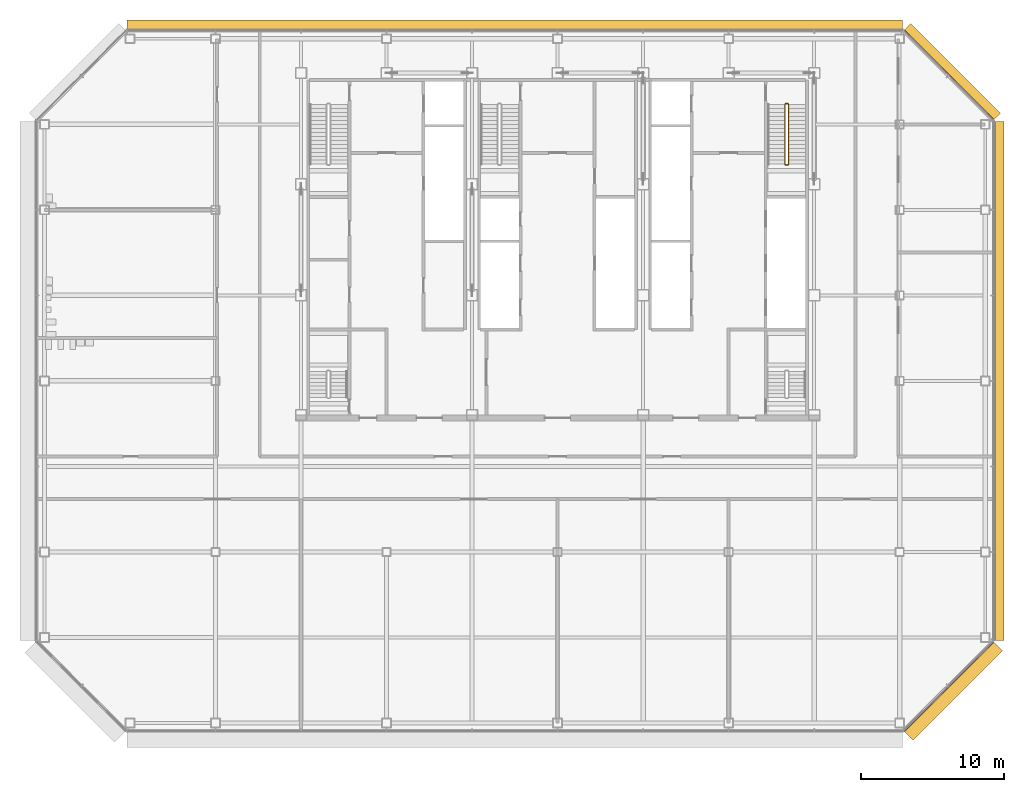
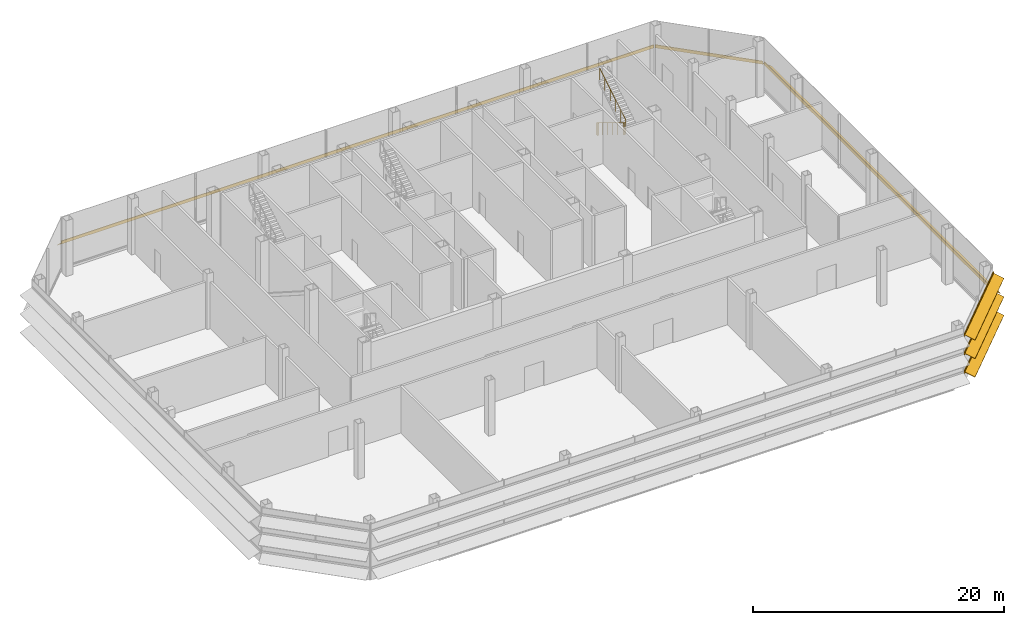
# One storey, part 24 of 25: 4 shading devices, 1 railing.
"""IFC4 building model written with IfcOpenShell, lengths in metres."""

from ifc_helpers import new_model, si_unit, direction, frame, origin, origin_2d, place, context, subcontext, project, spatial, polyline, circle, outline, composite_profile, extrude, material, type_object, element, save


model = new_model("IFC4")

# Units and contexts
model_context = context("Model", 3, precision=1e-05, world=origin(), true_north=direction((0.0, 1.0)))
body_context = subcontext(model_context, "Body", "Model", "MODEL_VIEW")
ifc_project = project(units=[si_unit("LENGTHUNIT", "METRE"), si_unit("AREAUNIT", "SQUARE_METRE"), si_unit("VOLUMEUNIT", "CUBIC_METRE"), si_unit("PLANEANGLEUNIT", "RADIAN"), si_unit("MASSUNIT", "GRAM", prefix="KILO")], contexts=[model_context])

# Site, building, storey
site_placement = place(None, origin())
site = spatial("IfcSite", under=ifc_project, at=site_placement, CompositionType="ELEMENT")
building_placement = place(site_placement, origin())
building = spatial("IfcBuilding", under=site, at=building_placement, Name="Sorahane Residences", CompositionType="ELEMENT")
storey_placement = place(building_placement, frame((0.0, 0.0, 210.0)))
storey = spatial("IfcBuildingStorey", under=building, at=storey_placement, Name="L49", CompositionType="ELEMENT", Elevation=210.0)

# Shading devices
ifc_material_1 = material(Name="Terracotta anodised aluminium", Category="masonry")
shading_device_type_1 = type_object("IfcShadingDeviceType", Name="Louvre sunshade blade E terracotta aluminium 700", PredefinedType="JALOUSIE", material=ifc_material_1)
shading_device_1_placement = place(storey_placement, frame((54.60009765625, 5.801513671875, 2.699951171875), z_axis=(0.0, 1.0, 0.0), x_axis=(-1.0, 0.0, 0.0)))
element("IfcShadingDevice", 1, at=shading_device_1_placement, inside=storey, type_object=shading_device_type_1, Name="Louvre sunshade blade bank E L49 E1", PredefinedType="JALOUSIE", context=body_context, shape_type="SweptSolid", body=[
    extrude(outline(polyline([(-0.719970703125, -0.49365234375), (-0.719970703125, -0.523681640625), (-0.080078125, -0.05859375), (-0.080078125, -0.14990234375), (-0.02001953125, -0.14990234375), (-0.02001953125, -0.014892578125), (-0.02001953125, 0.014892578125), (-0.02001953125, 0.14990234375), (-0.080078125, 0.14990234375), (-0.080078125, -0.028564453125), (-0.719970703125, -0.49365234375)])), origin(), (0.0, 0.0, 1.0), 36.39697265625),
])
ifc_material_2 = material(Name="Terracotta anodised aluminium", Category="masonry")
shading_device_type_2 = type_object("IfcShadingDeviceType", Name="Louvre sunshade blade N terracotta aluminium 700", PredefinedType="JALOUSIE", material=ifc_material_2)
shading_device_2_placement = place(storey_placement, frame((48.198486328125, 48.60009765625, 2.699951171875), z_axis=(-1.0, 0.0, 0.0), x_axis=(0.0, -1.0, 0.0)))
element("IfcShadingDevice", 2, at=shading_device_2_placement, inside=storey, type_object=shading_device_type_2, Name="Louvre sunshade blade bank N L49 N1", PredefinedType="JALOUSIE", context=body_context, shape_type="SweptSolid", body=[
    extrude(outline(polyline([(-0.719970703125, -0.660888671875), (-0.719970703125, -0.69091796875), (-0.080078125, -0.072998046875), (-0.080078125, -0.14990234375), (-0.02001953125, -0.14990234375), (-0.02001953125, -0.014892578125), (-0.02001953125, 0.014892578125), (-0.02001953125, 0.14990234375), (-0.080078125, 0.14990234375), (-0.080078125, -0.04296875), (-0.719970703125, -0.660888671875)])), origin(), (0.0, 0.0, 1.0), 54.39697265625),
])
ifc_material_3 = material(Name="Terracotta anodised aluminium", Category="masonry")
shading_device_type_3 = type_object("IfcShadingDeviceType", Name="Louvre sunshade blade NE terracotta aluminium 700", PredefinedType="JALOUSIE", material=ifc_material_3)
shading_device_3_placement = place(storey_placement, frame((54.564697265625, 42.283935546875, 2.699951171875), z_axis=(-0.707106781187, 0.707106781187, 0.0), x_axis=(-0.707106781187, -0.707106781187, 0.0)))
element("IfcShadingDevice", 3, at=shading_device_3_placement, inside=storey, type_object=shading_device_type_3, Name="Louvre sunshade blade bank NE L49 NE1", PredefinedType="JALOUSIE", context=body_context, shape_type="SweptSolid", body=[
    extrude(outline(polyline([(-0.719970703125, -0.572509765625), (-0.719970703125, -0.602294921875), (-0.080078125, -0.065185546875), (-0.080078125, -0.14990234375), (-0.02001953125, -0.14990234375), (-0.02001953125, -0.014892578125), (-0.02001953125, 0.014892578125), (-0.02001953125, 0.14990234375), (-0.080078125, 0.14990234375), (-0.080078125, -0.035400390625), (-0.719970703125, -0.572509765625)])), origin(), (0.0, 0.0, 1.0), 8.88232421875),
])
ifc_material_4 = material(Name="Terracotta anodised aluminium", Category="masonry")
shading_device_type_4 = type_object("IfcShadingDeviceType", Name="Louvre sunshade blade SE terracotta aluminium 900", PredefinedType="JALOUSIE", material=ifc_material_4)
shading_device_4_placement = place(storey_placement, frame((48.283935546875, -0.564697265625, 0.89990234375), z_axis=(0.707106781187, 0.707106781187, 0.0), x_axis=(-0.707106781187, 0.707106781187, 0.0)))
element("IfcShadingDevice", 4, at=shading_device_4_placement, inside=storey, type_object=shading_device_type_4, Name="Louvre sunshade blade bank SE L49 SE1", PredefinedType="JALOUSIE", context=body_context, shape_type="SweptSolid", body=[
    extrude(composite_profile([outline(polyline([(-0.919921875, -0.3486328125), (-0.919921875, -0.378662109375), (-0.080078125, -0.039306640625), (-0.080078125, -0.14990234375), (-0.02001953125, -0.14990234375), (-0.02001953125, -0.014892578125), (-0.02001953125, 0.014892578125), (-0.02001953125, 0.14990234375), (-0.080078125, 0.14990234375), (-0.080078125, -0.00927734375), (-0.919921875, -0.3486328125)])), outline(polyline([(-0.919921875, 1.451416015625), (-0.919921875, 1.42138671875), (-0.080078125, 1.7607421875), (-0.080078125, 1.64990234375), (-0.02001953125, 1.64990234375), (-0.02001953125, 1.784912109375), (-0.02001953125, 1.81494140625), (-0.02001953125, 1.949951171875), (-0.080078125, 1.949951171875), (-0.080078125, 1.790771484375), (-0.919921875, 1.451416015625)])), outline(polyline([(-0.919921875, 3.25146484375), (-0.919921875, 3.221435546875), (-0.080078125, 3.560791015625), (-0.080078125, 3.449951171875), (-0.02001953125, 3.449951171875), (-0.02001953125, 3.5849609375), (-0.02001953125, 3.614990234375), (-0.02001953125, 3.75), (-0.080078125, 3.75), (-0.080078125, 3.5908203125), (-0.919921875, 3.25146484375)]))]), origin(), (0.0, 0.0, 1.0), 8.88232421875),
])

# Railing
ifc_material_5 = material(Name="Steel Q355B", Category="steel")
railing_type = type_object("IfcRailingType", Name="Stair guard 1200 Steel Q355B", PredefinedType="GUARDRAIL", material=ifc_material_5)
railing_placement = place(storey_placement, frame((40.14990234375, 43.449951171875, 0.0)))
element("IfcRailing", 5, at=railing_placement, inside=storey, type_object=railing_type, Name="L49 S2 stair guard 1", PredefinedType="GUARDRAIL", context=body_context, shape_type="SweptSolid", body=[
    extrude(circle(Radius=0.02392578125, at=origin_2d()), frame((0.0, 0.0, 1.17578125), z_axis=(-1.0, 0.0, 0.0), x_axis=(0.0, -1.0, 0.0)), (0.0, 0.0, 1.0), 0.14990234375),
    extrude(circle(Radius=0.02392578125, at=origin_2d()), frame((-0.14990234375, 0.0, 1.17578125), z_axis=(-0.273569069059, -0.273569069059, 0.922127935218), x_axis=(0.707106781187, -0.707106781187, 0.0)), (0.0, 0.0, 1.0), 0.182861328125),
    extrude(circle(Radius=0.02392578125, at=origin_2d()), frame((-0.199951171875, -0.050048828125, 1.3447265625), z_axis=(0.0, -0.856476492594, 0.516186030065), x_axis=(1.0, 0.0, 0.0)), (0.0, 0.0, 1.0), 4.90380859375),
    extrude(circle(Radius=0.02392578125, at=origin_2d()), frame((-0.199951171875, -4.25, 3.8759765625), z_axis=(0.707106781187, -0.707106781187, 0.0), x_axis=(0.707106781187, 0.707106781187, 0.0)), (0.0, 0.0, 1.0), 0.07080078125),
    extrude(circle(Radius=0.02392578125, at=origin_2d()), frame((-0.14990234375, -4.300048828125, 3.8759765625), z_axis=(1.0, 0.0, 0.0), x_axis=(0.0, 1.0, 0.0)), (0.0, 0.0, 1.0), 0.14990234375),
    extrude(circle(Radius=0.02392578125, at=origin_2d()), frame((0.0, -4.300048828125, 3.8759765625), z_axis=(0.273569069059, 0.273569069059, 0.922127935218), x_axis=(-0.707106781187, 0.707106781187, 0.0)), (0.0, 0.0, 1.0), 0.182861328125),
    extrude(circle(Radius=0.02392578125, at=origin_2d()), frame((0.050048828125, -4.25, 4.04443359375), z_axis=(0.0, 0.856476492594, 0.516186030065), x_axis=(-1.0, 0.0, 0.0)), (0.0, 0.0, 1.0), 4.90380859375),
    extrude(circle(Radius=0.02099609375, at=origin_2d()), origin(), (0.0, 0.0, 1.0), 1.15185546875),
    extrude(circle(Radius=0.02099609375, at=origin_2d()), frame((-0.14990234375, 0.0, 0.0)), (0.0, 0.0, 1.0), 1.15185546875),
    extrude(circle(Radius=0.02099609375, at=origin_2d()), frame((-0.199951171875, -0.050048828125, 0.168701171875)), (0.0, 0.0, 1.0), 1.15185546875),
    extrude(circle(Radius=0.02099609375, at=origin_2d()), frame((-0.199951171875, -0.89013671875, 0.675048828125)), (0.0, 0.0, 1.0), 1.15185546875),
    extrude(circle(Radius=0.02099609375, at=origin_2d()), frame((-0.199951171875, -1.72998046875, 1.18115234375)), (0.0, 0.0, 1.0), 1.15185546875),
    extrude(circle(Radius=0.02099609375, at=origin_2d()), frame((-0.199951171875, -2.570068359375, 1.6875)), (0.0, 0.0, 1.0), 1.15185546875),
    extrude(circle(Radius=0.02099609375, at=origin_2d()), frame((-0.199951171875, -3.409912109375, 2.193603515625)), (0.0, 0.0, 1.0), 1.15185546875),
    extrude(circle(Radius=0.02099609375, at=origin_2d()), frame((-0.199951171875, -4.25, 2.699951171875)), (0.0, 0.0, 1.0), 1.15185546875),
    extrude(circle(Radius=0.02099609375, at=origin_2d()), frame((-0.14990234375, -4.300048828125, 2.699951171875)), (0.0, 0.0, 1.0), 1.15185546875),
    extrude(circle(Radius=0.02099609375, at=origin_2d()), frame((0.0, -4.300048828125, 2.699951171875)), (0.0, 0.0, 1.0), 1.15185546875),
    extrude(circle(Radius=0.02099609375, at=origin_2d()), frame((0.050048828125, -4.25, 2.86865234375)), (0.0, 0.0, 1.0), 1.15185546875),
    extrude(circle(Radius=0.02099609375, at=origin_2d()), frame((0.050048828125, -3.409912109375, 3.375)), (0.0, 0.0, 1.0), 1.15185546875),
    extrude(circle(Radius=0.02099609375, at=origin_2d()), frame((0.050048828125, -2.570068359375, 3.881103515625)), (0.0, 0.0, 1.0), 1.15185546875),
    extrude(circle(Radius=0.02099609375, at=origin_2d()), frame((0.050048828125, -1.72998046875, 4.387451171875)), (0.0, 0.0, 1.0), 1.15185546875),
    extrude(circle(Radius=0.02099609375, at=origin_2d()), frame((0.050048828125, -0.89013671875, 4.8935546875)), (0.0, 0.0, 1.0), 1.15185546875),
    extrude(circle(Radius=0.02099609375, at=origin_2d()), frame((0.050048828125, -0.050048828125, 5.39990234375)), (0.0, 0.0, 1.0), 1.15185546875),
])

save(model, "model.ifc")
